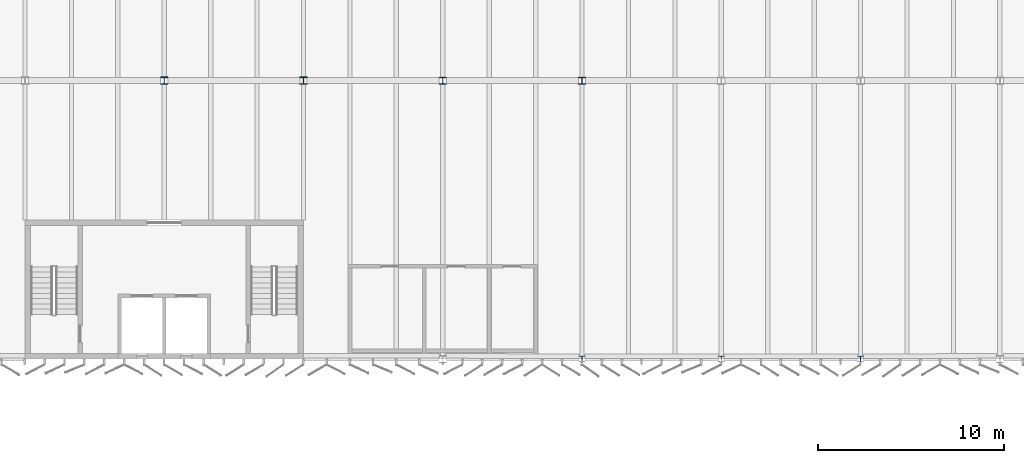
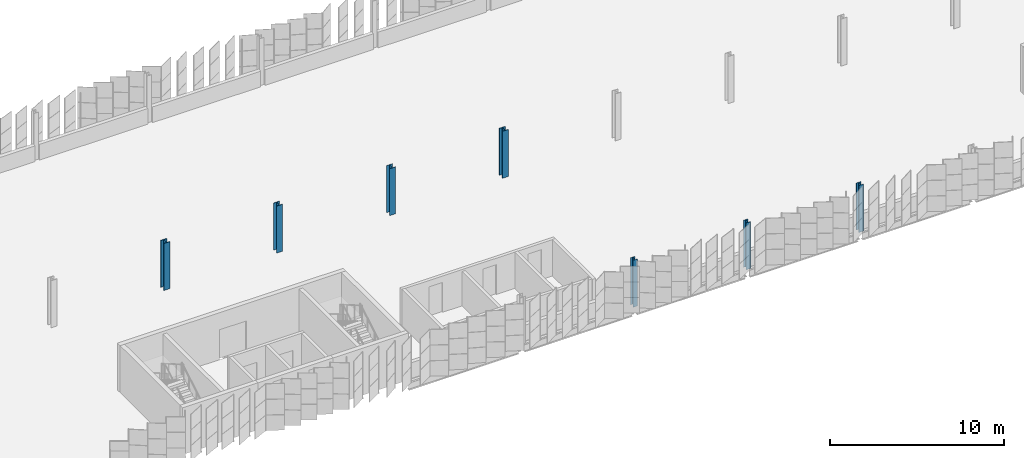
# One storey, part 16 of 214: 7 columns.
"""IFC4 building model written with IfcOpenShell, lengths in metres."""

from ifc_helpers import new_model, si_unit, direction, frame, origin, origin_2d, place, context, subcontext, project, spatial, i_section, extrude, material, material_profile, profile_set, type_object, element, save


model = new_model("IFC4")

# Units and contexts
model_context = context("Model", 3, precision=1e-05, world=origin(), true_north=direction((0.0, 1.0)))
body_context = subcontext(model_context, "Body", "Model", "MODEL_VIEW")
ifc_project = project(units=[si_unit("LENGTHUNIT", "METRE"), si_unit("AREAUNIT", "SQUARE_METRE"), si_unit("VOLUMEUNIT", "CUBIC_METRE"), si_unit("PLANEANGLEUNIT", "RADIAN"), si_unit("MASSUNIT", "GRAM", prefix="KILO")], contexts=[model_context])

# Site, building, storey
site_placement = place(None, origin())
site = spatial("IfcSite", under=ifc_project, at=site_placement, CompositionType="ELEMENT")
building_placement = place(site_placement, origin())
building = spatial("IfcBuilding", under=site, at=building_placement, Name="Parallax Yard Mobility Hub", CompositionType="ELEMENT")
storey_placement = place(building_placement, frame((0.0, 0.0, 3.300048828125)))
storey = spatial("IfcBuildingStorey", under=building, at=storey_placement, Name="L01", CompositionType="ELEMENT", Elevation=3.300048828125)

# Columns
ifc_material = material(Name="Steel ASTM A992", Category="steel")
ifc_material_profile_1 = material_profile(ifc_material, i_section(OverallWidth=0.304931640625, OverallDepth=0.31201171875, WebThickness=0.010986328125, FlangeThickness=0.01708984375, FilletRadius=0.015380859375, at=origin_2d()), Name="W310x107")
ifc_profile_set_1 = profile_set([ifc_material_profile_1], Name="Steel ASTM A992")
column_type_1 = type_object("IfcColumnType", Name="W310x107 column", PredefinedType="COLUMN", material=ifc_profile_set_1)
for number, where, z_axis, x_axis, name in (
    (1, (97.5, 112.5, 0.0), (0.0, 0.0, 1.0), (1.0, 0.0, 0.0), "Column C2 level L01 at R/14 of ramped parking decks"),
    (2, (105.0, 112.5, 0.0), (0.0, 0.0, 1.0), (1.0, 0.0, 0.0), "Column C2 level L01 at R/15 of ramped parking decks"),
    (3, (112.5, 112.5, 0.0), (0.0, 0.0, 1.0), (1.0, 0.0, 0.0), "Column C2 level L01 at R/16 of ramped parking decks"),
):
    element("IfcColumn", number, at=place(storey_placement, frame(where, z_axis=z_axis, x_axis=x_axis)), inside=storey, type_object=column_type_1, Name=name, PredefinedType="COLUMN", context=body_context, shape_type="SweptSolid", body=[
        extrude(i_section(OverallWidth=0.304931640625, OverallDepth=0.31201171875, WebThickness=0.010986328125, FlangeThickness=0.01708984375, FilletRadius=0.015380859375, at=origin_2d()), origin(), (0.0, 0.0, 1.0), 3.300048828125),
    ])
ifc_material_profile_2 = material_profile(ifc_material, i_section(OverallWidth=0.39404296875, OverallDepth=0.3759765625, WebThickness=0.017333984375, FlangeThickness=0.027587890625, FilletRadius=0.01513671875, at=origin_2d()), Name="W360x216")
ifc_profile_set_2 = profile_set([ifc_material_profile_2], Name="Steel ASTM A992")
column_type_2 = type_object("IfcColumnType", Name="W360x216 column", PredefinedType="COLUMN", material=ifc_profile_set_2)
for number, where, z_axis, x_axis, name in (
    (4, (90.0, 127.5, 0.0), (0.0, 0.0, 1.0), (1.0, 0.0, 0.0), "Column C9 level L01 at T/13 of ramped parking decks"),
    (5, (97.5, 127.5, 0.0), (0.0, 0.0, 1.0), (1.0, 0.0, 0.0), "Column C9 level L01 at T/14 of ramped parking decks"),
):
    element("IfcColumn", number, at=place(storey_placement, frame(where, z_axis=z_axis, x_axis=x_axis)), inside=storey, type_object=column_type_2, Name=name, PredefinedType="COLUMN", context=body_context, shape_type="SweptSolid", body=[
        extrude(i_section(OverallWidth=0.39404296875, OverallDepth=0.3759765625, WebThickness=0.017333984375, FlangeThickness=0.027587890625, FilletRadius=0.01513671875, at=origin_2d()), origin(), (0.0, 0.0, 1.0), 3.300048828125),
    ])
ifc_material_profile_3 = material_profile(ifc_material, i_section(OverallWidth=0.39599609375, OverallDepth=0.381103515625, WebThickness=0.018798828125, FlangeThickness=0.0302734375, FilletRadius=0.015380859375, at=origin_2d()), Name="W360x237")
ifc_profile_set_3 = profile_set([ifc_material_profile_3], Name="Steel ASTM A992")
column_type_3 = type_object("IfcColumnType", Name="W360x237 column", PredefinedType="COLUMN", material=ifc_profile_set_3)
for number, where, z_axis, x_axis, name in (
    (6, (75.0, 127.5, 0.0), (0.0, 0.0, 1.0), (1.0, 0.0, 0.0), "Column C10 level L01 at T/11 of ramped parking decks"),
    (7, (82.5, 127.5, 0.0), (0.0, 0.0, 1.0), (1.0, 0.0, 0.0), "Column C10 level L01 at T/12 of ramped parking decks"),
):
    element("IfcColumn", number, at=place(storey_placement, frame(where, z_axis=z_axis, x_axis=x_axis)), inside=storey, type_object=column_type_3, Name=name, PredefinedType="COLUMN", context=body_context, shape_type="SweptSolid", body=[
        extrude(i_section(OverallWidth=0.39599609375, OverallDepth=0.381103515625, WebThickness=0.018798828125, FlangeThickness=0.0302734375, FilletRadius=0.015380859375, at=origin_2d()), origin(), (0.0, 0.0, 1.0), 3.300048828125),
    ])

save(model, "model.ifc")
